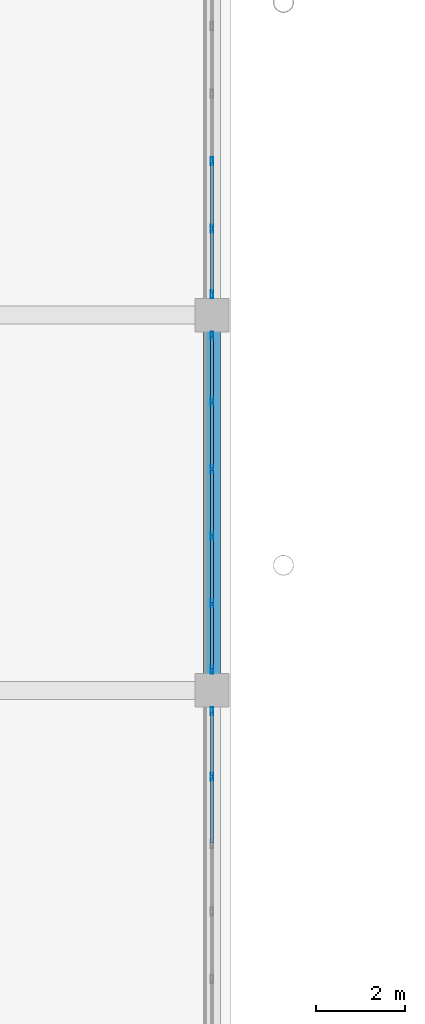
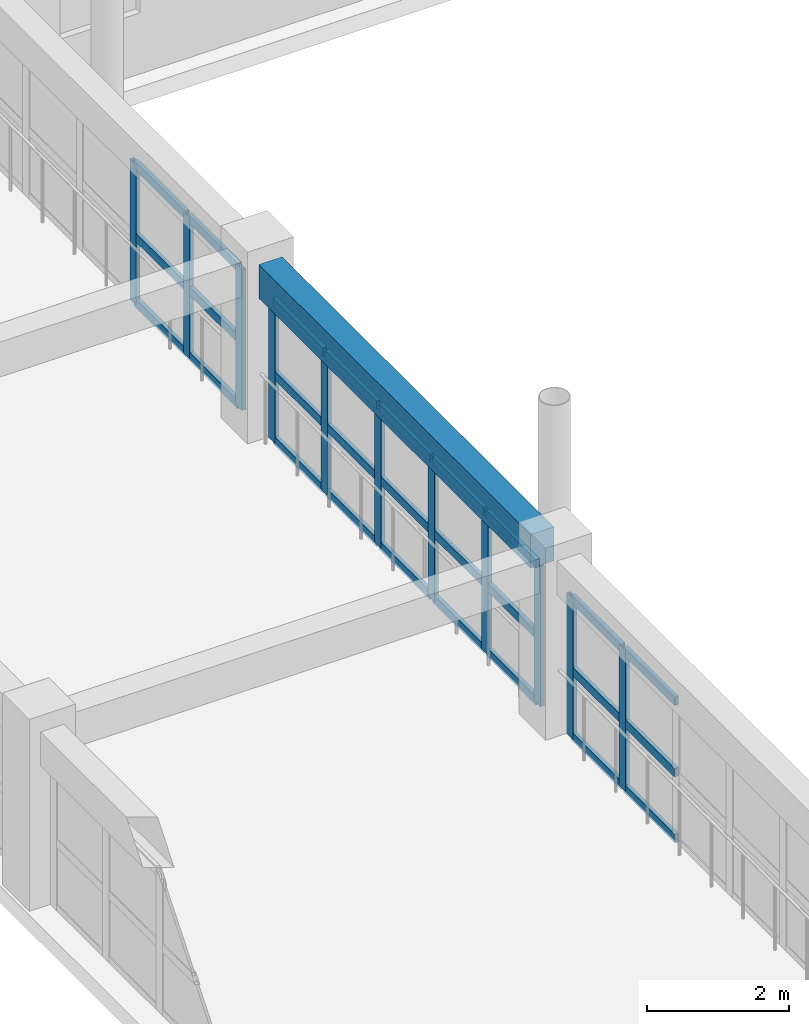
# One storey, part 135 of 200: 38 members, 1 beam, 3 elements without a shape of their own.
"""IFC4 building model written with IfcOpenShell, lengths in metres."""

from ifc_helpers import new_model, si_unit, direction, frame, origin, origin_2d, place, context, subcontext, project, spatial, rectangle, hollow_rectangle, extrude, material, layer, layer_set, material_profile, profile_set, type_object, element, aggregate, save


model = new_model("IFC4")

# Units and contexts
model_context = context("Model", 3, precision=1e-05, world=origin(), true_north=direction((0.0, 1.0)))
body_context = subcontext(model_context, "Body", "Model", "MODEL_VIEW")
ifc_project = project(units=[si_unit("LENGTHUNIT", "METRE"), si_unit("AREAUNIT", "SQUARE_METRE"), si_unit("VOLUMEUNIT", "CUBIC_METRE"), si_unit("PLANEANGLEUNIT", "RADIAN"), si_unit("MASSUNIT", "GRAM", prefix="KILO")], contexts=[model_context])

# Site, building, storey
site_placement = place(None, origin())
site = spatial("IfcSite", under=ifc_project, at=site_placement, CompositionType="ELEMENT")
building_placement = place(site_placement, origin())
building = spatial("IfcBuilding", under=site, at=building_placement, Name="Trelvath General Hospital", CompositionType="ELEMENT")
storey_placement = place(building_placement, frame((0.0, 0.0, 4.800048828125)))
storey = spatial("IfcBuildingStorey", under=building, at=storey_placement, Name="L01", CompositionType="ELEMENT", Elevation=4.800048828125)

# Beam
ifc_material_1 = material(Name="Concrete C35/45", Category="concrete")
ifc_material_profile_1 = material_profile(ifc_material_1, rectangle(XDim=0.3798828125, YDim=0.580078125, at=origin_2d()), Name="RCB380x580")
ifc_profile_set_1 = profile_set([ifc_material_profile_1], Name="Concrete C35/45")
beam_type = type_object("IfcBeamType", Name="Beam RC380x580", PredefinedType="BEAM", material=ifc_profile_set_1)
beam_placement = place(storey_placement, frame((142.800048828125, 50.77001953125, 2.72998046875), z_axis=(0.0, 1.0, 0.0), x_axis=(-1.0, 0.0, 0.0)))
element("IfcBeam", 1, at=beam_placement, inside=storey, type_object=beam_type, Name="Grid Beam BY-117G", PredefinedType="BEAM", context=body_context, shape_type="SweptSolid", body=[
    extrude(rectangle(XDim=0.3798828125, YDim=0.580078125, at=origin_2d()), origin(), (0.0, 0.0, 1.0), 7.659912109375),
])

# Curtain wall, members
ifc_material_2 = material(Name="Anodised aluminium and low-E glass", Category="aluminium")
ifc_layer = layer(ifc_material_2, 0.179931640625)
ifc_layer_set = layer_set([ifc_layer], Name="Anodised aluminium and low-E glass")
curtain_wall_type = type_object("IfcCurtainWallType", Name="CW Facade 754 242 18", PredefinedType="USERDEFINED", material=ifc_layer_set)
curtain_wall_1_placement = place(storey_placement, origin())
curtain_wall_1 = element("IfcCurtainWall", 2, at=curtain_wall_1_placement, inside=storey, type_object=curtain_wall_type, Name="Facade Curtain Wall CW-025", ObjectType="Unitised Glazed Curtain Wall", PredefinedType="USERDEFINED")
ifc_material_3 = material(Name="Anodised aluminium", Category="aluminium")
ifc_material_profile_2 = material_profile(ifc_material_3, hollow_rectangle(XDim=0.06494140625, YDim=0.179931640625, WallThickness=0.0048828125, at=origin_2d()), Name="RHS65x180x5")
ifc_profile_set_2 = profile_set([ifc_material_profile_2], Name="Anodised aluminium")
member_type_1 = type_object("IfcMemberType", Name="CurtainMullion 65x180", PredefinedType="MULLION", material=ifc_profile_set_2)
member_1_placement = place(storey_placement, frame((142.800048828125, 49.9375, 0.0), z_axis=(0.0, 0.0, 1.0), x_axis=(1.0, 0.0, 0.0)))
member_1 = element("IfcMember", 3, at=member_1_placement, type_object=member_type_1, Name="CW-025 mullion 1", PredefinedType="MULLION", context=body_context, shape_type="SweptSolid", body=[
    extrude(hollow_rectangle(XDim=0.06494140625, YDim=0.179931640625, WallThickness=0.0048828125, at=origin_2d()), origin(), (0.0, 0.0, 1.0), 2.419921875),
])
member_2_placement = place(storey_placement, frame((142.800048828125, 48.4619140625, 0.0), z_axis=(0.0, 0.0, 1.0), x_axis=(1.0, 0.0, 0.0)))
member_2 = element("IfcMember", 4, at=member_2_placement, type_object=member_type_1, Name="CW-025 mullion 2", PredefinedType="MULLION", context=body_context, shape_type="SweptSolid", body=[
    extrude(hollow_rectangle(XDim=0.06494140625, YDim=0.179931640625, WallThickness=0.0048828125, at=origin_2d()), origin(), (0.0, 0.0, 1.0), 2.419921875),
])

curtain_wall_2_placement = place(storey_placement, origin())
curtain_wall_2 = element("IfcCurtainWall", 5, at=curtain_wall_2_placement, inside=storey, type_object=curtain_wall_type, Name="Facade Curtain Wall CW-027", ObjectType="Unitised Glazed Curtain Wall", PredefinedType="USERDEFINED")
member_3_placement = place(storey_placement, frame((142.800048828125, 58.33740234375, 0.0), z_axis=(0.0, 0.0, 1.0), x_axis=(1.0, 0.0, 0.0)))
member_3 = element("IfcMember", 6, at=member_3_placement, type_object=member_type_1, Name="CW-027 mullion 1", PredefinedType="MULLION", context=body_context, shape_type="SweptSolid", body=[
    extrude(hollow_rectangle(XDim=0.06494140625, YDim=0.179931640625, WallThickness=0.0048828125, at=origin_2d()), origin(), (0.0, 0.0, 1.0), 2.419921875),
])
member_4_placement = place(storey_placement, frame((142.800048828125, 56.862060546875, 0.0), z_axis=(0.0, 0.0, 1.0), x_axis=(1.0, 0.0, 0.0)))
member_4 = element("IfcMember", 7, at=member_4_placement, type_object=member_type_1, Name="CW-027 mullion 2", PredefinedType="MULLION", context=body_context, shape_type="SweptSolid", body=[
    extrude(hollow_rectangle(XDim=0.06494140625, YDim=0.179931640625, WallThickness=0.0048828125, at=origin_2d()), origin(), (0.0, 0.0, 1.0), 2.419921875),
])
member_5_placement = place(storey_placement, frame((142.800048828125, 55.35400390625, 0.0), z_axis=(0.0, 0.0, 1.0), x_axis=(1.0, 0.0, 0.0)))
member_5 = element("IfcMember", 8, at=member_5_placement, type_object=member_type_1, Name="CW-027 mullion 3", PredefinedType="MULLION", context=body_context, shape_type="SweptSolid", body=[
    extrude(hollow_rectangle(XDim=0.06494140625, YDim=0.179931640625, WallThickness=0.0048828125, at=origin_2d()), origin(), (0.0, 0.0, 1.0), 2.419921875),
])
member_6_placement = place(storey_placement, frame((142.800048828125, 53.845947265625, 0.0), z_axis=(0.0, 0.0, 1.0), x_axis=(1.0, 0.0, 0.0)))
member_6 = element("IfcMember", 9, at=member_6_placement, type_object=member_type_1, Name="CW-027 mullion 4", PredefinedType="MULLION", context=body_context, shape_type="SweptSolid", body=[
    extrude(hollow_rectangle(XDim=0.06494140625, YDim=0.179931640625, WallThickness=0.0048828125, at=origin_2d()), origin(), (0.0, 0.0, 1.0), 2.419921875),
])
member_7_placement = place(storey_placement, frame((142.800048828125, 52.337890625, 0.0), z_axis=(0.0, 0.0, 1.0), x_axis=(1.0, 0.0, 0.0)))
member_7 = element("IfcMember", 10, at=member_7_placement, type_object=member_type_1, Name="CW-027 mullion 5", PredefinedType="MULLION", context=body_context, shape_type="SweptSolid", body=[
    extrude(hollow_rectangle(XDim=0.06494140625, YDim=0.179931640625, WallThickness=0.0048828125, at=origin_2d()), origin(), (0.0, 0.0, 1.0), 2.419921875),
])
member_8_placement = place(storey_placement, frame((142.800048828125, 50.862548828125, 0.0), z_axis=(0.0, 0.0, 1.0), x_axis=(1.0, 0.0, 0.0)))
member_8 = element("IfcMember", 11, at=member_8_placement, type_object=member_type_1, Name="CW-027 mullion 6", PredefinedType="MULLION", context=body_context, shape_type="SweptSolid", body=[
    extrude(hollow_rectangle(XDim=0.06494140625, YDim=0.179931640625, WallThickness=0.0048828125, at=origin_2d()), origin(), (0.0, 0.0, 1.0), 2.419921875),
])

curtain_wall_3_placement = place(storey_placement, origin())
curtain_wall_3 = element("IfcCurtainWall", 12, at=curtain_wall_3_placement, inside=storey, type_object=curtain_wall_type, Name="Facade Curtain Wall CW-029", ObjectType="Unitised Glazed Curtain Wall", PredefinedType="USERDEFINED")
member_9_placement = place(storey_placement, frame((142.800048828125, 62.24609375, 0.0), z_axis=(0.0, 0.0, 1.0), x_axis=(1.0, 0.0, 0.0)))
member_9 = element("IfcMember", 13, at=member_9_placement, type_object=member_type_1, Name="CW-029 mullion 4", PredefinedType="MULLION", context=body_context, shape_type="SweptSolid", body=[
    extrude(hollow_rectangle(XDim=0.06494140625, YDim=0.179931640625, WallThickness=0.0048828125, at=origin_2d()), origin(), (0.0, 0.0, 1.0), 2.419921875),
])
member_10_placement = place(storey_placement, frame((142.800048828125, 60.738037109375, 0.0), z_axis=(0.0, 0.0, 1.0), x_axis=(1.0, 0.0, 0.0)))
member_10 = element("IfcMember", 14, at=member_10_placement, type_object=member_type_1, Name="CW-029 mullion 5", PredefinedType="MULLION", context=body_context, shape_type="SweptSolid", body=[
    extrude(hollow_rectangle(XDim=0.06494140625, YDim=0.179931640625, WallThickness=0.0048828125, at=origin_2d()), origin(), (0.0, 0.0, 1.0), 2.419921875),
])
member_11_placement = place(storey_placement, frame((142.800048828125, 59.262451171875, 0.0), z_axis=(0.0, 0.0, 1.0), x_axis=(1.0, 0.0, 0.0)))
member_11 = element("IfcMember", 15, at=member_11_placement, type_object=member_type_1, Name="CW-029 mullion 6", PredefinedType="MULLION", context=body_context, shape_type="SweptSolid", body=[
    extrude(hollow_rectangle(XDim=0.06494140625, YDim=0.179931640625, WallThickness=0.0048828125, at=origin_2d()), origin(), (0.0, 0.0, 1.0), 2.419921875),
])

# Member
ifc_material_4 = material(Name="Anodised aluminium", Category="aluminium")
ifc_material_profile_3 = material_profile(ifc_material_4, hollow_rectangle(XDim=0.06494140625, YDim=0.14501953125, WallThickness=0.00390625, at=origin_2d()), Name="RHS65x145x4")
ifc_profile_set_3 = profile_set([ifc_material_profile_3], Name="Anodised aluminium")
member_type_2 = type_object("IfcMemberType", Name="CurtainTransom 65x145", PredefinedType="USERDEFINED", material=ifc_profile_set_3)
member_12_placement = place(storey_placement, frame((142.800048828125, 49.905029296875, 0.032470703125), z_axis=(0.0, -1.0, 0.0), x_axis=(1.0, 0.0, 0.0)))
member_12 = element("IfcMember", 16, at=member_12_placement, type_object=member_type_2, Name="CW-025 transom 1.1", ObjectType="TRANSOM", PredefinedType="USERDEFINED", context=body_context, shape_type="SweptSolid", body=[
    extrude(hollow_rectangle(XDim=0.06494140625, YDim=0.14501953125, WallThickness=0.00390625, at=origin_2d()), origin(), (0.0, 0.0, 1.0), 1.41064453125),
])

member_13_placement = place(storey_placement, frame((142.800048828125, 49.905029296875, 1.161865234375), z_axis=(0.0, -1.0, 0.0), x_axis=(1.0, 0.0, 0.0)))
member_13 = element("IfcMember", 17, at=member_13_placement, type_object=member_type_2, Name="CW-025 transom 1.2", ObjectType="TRANSOM", PredefinedType="USERDEFINED", context=body_context, shape_type="SweptSolid", body=[
    extrude(hollow_rectangle(XDim=0.06494140625, YDim=0.14501953125, WallThickness=0.00390625, at=origin_2d()), origin(), (0.0, 0.0, 1.0), 1.41064453125),
])

member_14_placement = place(storey_placement, frame((142.800048828125, 49.905029296875, 2.387451171875), z_axis=(0.0, -1.0, 0.0), x_axis=(1.0, 0.0, 0.0)))
member_14 = element("IfcMember", 18, at=member_14_placement, type_object=member_type_2, Name="CW-025 transom 1.3", ObjectType="TRANSOM", PredefinedType="USERDEFINED", context=body_context, shape_type="SweptSolid", body=[
    extrude(hollow_rectangle(XDim=0.06494140625, YDim=0.14501953125, WallThickness=0.00390625, at=origin_2d()), origin(), (0.0, 0.0, 1.0), 1.41064453125),
])

member_15_placement = place(storey_placement, frame((142.800048828125, 48.429443359375, 0.032470703125), z_axis=(0.0, -1.0, 0.0), x_axis=(1.0, 0.0, 0.0)))
member_15 = element("IfcMember", 19, at=member_15_placement, type_object=member_type_2, Name="CW-025 transom 2.1", ObjectType="TRANSOM", PredefinedType="USERDEFINED", context=body_context, shape_type="SweptSolid", body=[
    extrude(hollow_rectangle(XDim=0.06494140625, YDim=0.14501953125, WallThickness=0.00390625, at=origin_2d()), origin(), (0.0, 0.0, 1.0), 1.44287109375),
])

member_16_placement = place(storey_placement, frame((142.800048828125, 48.429443359375, 1.161865234375), z_axis=(0.0, -1.0, 0.0), x_axis=(1.0, 0.0, 0.0)))
member_16 = element("IfcMember", 20, at=member_16_placement, type_object=member_type_2, Name="CW-025 transom 2.2", ObjectType="TRANSOM", PredefinedType="USERDEFINED", context=body_context, shape_type="SweptSolid", body=[
    extrude(hollow_rectangle(XDim=0.06494140625, YDim=0.14501953125, WallThickness=0.00390625, at=origin_2d()), origin(), (0.0, 0.0, 1.0), 1.44287109375),
])

member_17_placement = place(storey_placement, frame((142.800048828125, 48.429443359375, 2.387451171875), z_axis=(0.0, -1.0, 0.0), x_axis=(1.0, 0.0, 0.0)))
member_17 = element("IfcMember", 21, at=member_17_placement, type_object=member_type_2, Name="CW-025 transom 2.3", ObjectType="TRANSOM", PredefinedType="USERDEFINED", context=body_context, shape_type="SweptSolid", body=[
    extrude(hollow_rectangle(XDim=0.06494140625, YDim=0.14501953125, WallThickness=0.00390625, at=origin_2d()), origin(), (0.0, 0.0, 1.0), 1.44287109375),
])

aggregate(curtain_wall_1, [member_1, member_2, member_12, member_13, member_14, member_15, member_16, member_17])

member_18_placement = place(storey_placement, frame((142.800048828125, 58.304931640625, 0.032470703125), z_axis=(0.0, -1.0, 0.0), x_axis=(1.0, 0.0, 0.0)))
member_18 = element("IfcMember", 22, at=member_18_placement, type_object=member_type_2, Name="CW-027 transom 1.1", ObjectType="TRANSOM", PredefinedType="USERDEFINED", context=body_context, shape_type="SweptSolid", body=[
    extrude(hollow_rectangle(XDim=0.06494140625, YDim=0.14501953125, WallThickness=0.00390625, at=origin_2d()), origin(), (0.0, 0.0, 1.0), 1.410400390625),
])

member_19_placement = place(storey_placement, frame((142.800048828125, 58.304931640625, 1.161865234375), z_axis=(0.0, -1.0, 0.0), x_axis=(1.0, 0.0, 0.0)))
member_19 = element("IfcMember", 23, at=member_19_placement, type_object=member_type_2, Name="CW-027 transom 1.2", ObjectType="TRANSOM", PredefinedType="USERDEFINED", context=body_context, shape_type="SweptSolid", body=[
    extrude(hollow_rectangle(XDim=0.06494140625, YDim=0.14501953125, WallThickness=0.00390625, at=origin_2d()), origin(), (0.0, 0.0, 1.0), 1.410400390625),
])

member_20_placement = place(storey_placement, frame((142.800048828125, 58.304931640625, 2.387451171875), z_axis=(0.0, -1.0, 0.0), x_axis=(1.0, 0.0, 0.0)))
member_20 = element("IfcMember", 24, at=member_20_placement, type_object=member_type_2, Name="CW-027 transom 1.3", ObjectType="TRANSOM", PredefinedType="USERDEFINED", context=body_context, shape_type="SweptSolid", body=[
    extrude(hollow_rectangle(XDim=0.06494140625, YDim=0.14501953125, WallThickness=0.00390625, at=origin_2d()), origin(), (0.0, 0.0, 1.0), 1.410400390625),
])

member_21_placement = place(storey_placement, frame((142.800048828125, 56.82958984375, 0.032470703125), z_axis=(0.0, -1.0, 0.0), x_axis=(1.0, 0.0, 0.0)))
member_21 = element("IfcMember", 25, at=member_21_placement, type_object=member_type_2, Name="CW-027 transom 2.1", ObjectType="TRANSOM", PredefinedType="USERDEFINED", context=body_context, shape_type="SweptSolid", body=[
    extrude(hollow_rectangle(XDim=0.06494140625, YDim=0.14501953125, WallThickness=0.00390625, at=origin_2d()), origin(), (0.0, 0.0, 1.0), 1.443115234375),
])

member_22_placement = place(storey_placement, frame((142.800048828125, 56.82958984375, 1.161865234375), z_axis=(0.0, -1.0, 0.0), x_axis=(1.0, 0.0, 0.0)))
member_22 = element("IfcMember", 26, at=member_22_placement, type_object=member_type_2, Name="CW-027 transom 2.2", ObjectType="TRANSOM", PredefinedType="USERDEFINED", context=body_context, shape_type="SweptSolid", body=[
    extrude(hollow_rectangle(XDim=0.06494140625, YDim=0.14501953125, WallThickness=0.00390625, at=origin_2d()), origin(), (0.0, 0.0, 1.0), 1.443115234375),
])

member_23_placement = place(storey_placement, frame((142.800048828125, 56.82958984375, 2.387451171875), z_axis=(0.0, -1.0, 0.0), x_axis=(1.0, 0.0, 0.0)))
member_23 = element("IfcMember", 27, at=member_23_placement, type_object=member_type_2, Name="CW-027 transom 2.3", ObjectType="TRANSOM", PredefinedType="USERDEFINED", context=body_context, shape_type="SweptSolid", body=[
    extrude(hollow_rectangle(XDim=0.06494140625, YDim=0.14501953125, WallThickness=0.00390625, at=origin_2d()), origin(), (0.0, 0.0, 1.0), 1.443115234375),
])

member_24_placement = place(storey_placement, frame((142.800048828125, 55.321533203125, 0.032470703125), z_axis=(0.0, -1.0, 0.0), x_axis=(1.0, 0.0, 0.0)))
member_24 = element("IfcMember", 28, at=member_24_placement, type_object=member_type_2, Name="CW-027 transom 3.1", ObjectType="TRANSOM", PredefinedType="USERDEFINED", context=body_context, shape_type="SweptSolid", body=[
    extrude(hollow_rectangle(XDim=0.06494140625, YDim=0.14501953125, WallThickness=0.00390625, at=origin_2d()), origin(), (0.0, 0.0, 1.0), 1.443115234375),
])

member_25_placement = place(storey_placement, frame((142.800048828125, 55.321533203125, 1.161865234375), z_axis=(0.0, -1.0, 0.0), x_axis=(1.0, 0.0, 0.0)))
member_25 = element("IfcMember", 29, at=member_25_placement, type_object=member_type_2, Name="CW-027 transom 3.2", ObjectType="TRANSOM", PredefinedType="USERDEFINED", context=body_context, shape_type="SweptSolid", body=[
    extrude(hollow_rectangle(XDim=0.06494140625, YDim=0.14501953125, WallThickness=0.00390625, at=origin_2d()), origin(), (0.0, 0.0, 1.0), 1.443115234375),
])

member_26_placement = place(storey_placement, frame((142.800048828125, 55.321533203125, 2.387451171875), z_axis=(0.0, -1.0, 0.0), x_axis=(1.0, 0.0, 0.0)))
member_26 = element("IfcMember", 30, at=member_26_placement, type_object=member_type_2, Name="CW-027 transom 3.3", ObjectType="TRANSOM", PredefinedType="USERDEFINED", context=body_context, shape_type="SweptSolid", body=[
    extrude(hollow_rectangle(XDim=0.06494140625, YDim=0.14501953125, WallThickness=0.00390625, at=origin_2d()), origin(), (0.0, 0.0, 1.0), 1.443115234375),
])

member_27_placement = place(storey_placement, frame((142.800048828125, 53.8134765625, 0.032470703125), z_axis=(0.0, -1.0, 0.0), x_axis=(1.0, 0.0, 0.0)))
member_27 = element("IfcMember", 31, at=member_27_placement, type_object=member_type_2, Name="CW-027 transom 4.1", ObjectType="TRANSOM", PredefinedType="USERDEFINED", context=body_context, shape_type="SweptSolid", body=[
    extrude(hollow_rectangle(XDim=0.06494140625, YDim=0.14501953125, WallThickness=0.00390625, at=origin_2d()), origin(), (0.0, 0.0, 1.0), 1.44287109375),
])

member_28_placement = place(storey_placement, frame((142.800048828125, 53.8134765625, 1.161865234375), z_axis=(0.0, -1.0, 0.0), x_axis=(1.0, 0.0, 0.0)))
member_28 = element("IfcMember", 32, at=member_28_placement, type_object=member_type_2, Name="CW-027 transom 4.2", ObjectType="TRANSOM", PredefinedType="USERDEFINED", context=body_context, shape_type="SweptSolid", body=[
    extrude(hollow_rectangle(XDim=0.06494140625, YDim=0.14501953125, WallThickness=0.00390625, at=origin_2d()), origin(), (0.0, 0.0, 1.0), 1.44287109375),
])

member_29_placement = place(storey_placement, frame((142.800048828125, 53.8134765625, 2.387451171875), z_axis=(0.0, -1.0, 0.0), x_axis=(1.0, 0.0, 0.0)))
member_29 = element("IfcMember", 33, at=member_29_placement, type_object=member_type_2, Name="CW-027 transom 4.3", ObjectType="TRANSOM", PredefinedType="USERDEFINED", context=body_context, shape_type="SweptSolid", body=[
    extrude(hollow_rectangle(XDim=0.06494140625, YDim=0.14501953125, WallThickness=0.00390625, at=origin_2d()), origin(), (0.0, 0.0, 1.0), 1.44287109375),
])

member_30_placement = place(storey_placement, frame((142.800048828125, 52.305419921875, 0.032470703125), z_axis=(0.0, -1.0, 0.0), x_axis=(1.0, 0.0, 0.0)))
member_30 = element("IfcMember", 34, at=member_30_placement, type_object=member_type_2, Name="CW-027 transom 5.1", ObjectType="TRANSOM", PredefinedType="USERDEFINED", context=body_context, shape_type="SweptSolid", body=[
    extrude(hollow_rectangle(XDim=0.06494140625, YDim=0.14501953125, WallThickness=0.00390625, at=origin_2d()), origin(), (0.0, 0.0, 1.0), 1.410400390625),
])

member_31_placement = place(storey_placement, frame((142.800048828125, 52.305419921875, 1.161865234375), z_axis=(0.0, -1.0, 0.0), x_axis=(1.0, 0.0, 0.0)))
member_31 = element("IfcMember", 35, at=member_31_placement, type_object=member_type_2, Name="CW-027 transom 5.2", ObjectType="TRANSOM", PredefinedType="USERDEFINED", context=body_context, shape_type="SweptSolid", body=[
    extrude(hollow_rectangle(XDim=0.06494140625, YDim=0.14501953125, WallThickness=0.00390625, at=origin_2d()), origin(), (0.0, 0.0, 1.0), 1.410400390625),
])

member_32_placement = place(storey_placement, frame((142.800048828125, 52.305419921875, 2.387451171875), z_axis=(0.0, -1.0, 0.0), x_axis=(1.0, 0.0, 0.0)))
member_32 = element("IfcMember", 36, at=member_32_placement, type_object=member_type_2, Name="CW-027 transom 5.3", ObjectType="TRANSOM", PredefinedType="USERDEFINED", context=body_context, shape_type="SweptSolid", body=[
    extrude(hollow_rectangle(XDim=0.06494140625, YDim=0.14501953125, WallThickness=0.00390625, at=origin_2d()), origin(), (0.0, 0.0, 1.0), 1.410400390625),
])

aggregate(curtain_wall_2, [member_3, member_4, member_5, member_6, member_7, member_8, member_18, member_19, member_20, member_21, member_22, member_23, member_24, member_25, member_26, member_27, member_28, member_29, member_30, member_31, member_32])

member_33_placement = place(storey_placement, frame((142.800048828125, 62.21337890625, 0.032470703125), z_axis=(0.0, -1.0, 0.0), x_axis=(1.0, 0.0, 0.0)))
member_33 = element("IfcMember", 37, at=member_33_placement, type_object=member_type_2, Name="CW-029 transom 4.1", ObjectType="TRANSOM", PredefinedType="USERDEFINED", context=body_context, shape_type="SweptSolid", body=[
    extrude(hollow_rectangle(XDim=0.06494140625, YDim=0.14501953125, WallThickness=0.00390625, at=origin_2d()), origin(), (0.0, 0.0, 1.0), 1.44287109375),
])

member_34_placement = place(storey_placement, frame((142.800048828125, 62.21337890625, 1.161865234375), z_axis=(0.0, -1.0, 0.0), x_axis=(1.0, 0.0, 0.0)))
member_34 = element("IfcMember", 38, at=member_34_placement, type_object=member_type_2, Name="CW-029 transom 4.2", ObjectType="TRANSOM", PredefinedType="USERDEFINED", context=body_context, shape_type="SweptSolid", body=[
    extrude(hollow_rectangle(XDim=0.06494140625, YDim=0.14501953125, WallThickness=0.00390625, at=origin_2d()), origin(), (0.0, 0.0, 1.0), 1.44287109375),
])

member_35_placement = place(storey_placement, frame((142.800048828125, 62.21337890625, 2.387451171875), z_axis=(0.0, -1.0, 0.0), x_axis=(1.0, 0.0, 0.0)))
member_35 = element("IfcMember", 39, at=member_35_placement, type_object=member_type_2, Name="CW-029 transom 4.3", ObjectType="TRANSOM", PredefinedType="USERDEFINED", context=body_context, shape_type="SweptSolid", body=[
    extrude(hollow_rectangle(XDim=0.06494140625, YDim=0.14501953125, WallThickness=0.00390625, at=origin_2d()), origin(), (0.0, 0.0, 1.0), 1.44287109375),
])

member_36_placement = place(storey_placement, frame((142.800048828125, 60.70556640625, 0.032470703125), z_axis=(0.0, -1.0, 0.0), x_axis=(1.0, 0.0, 0.0)))
member_36 = element("IfcMember", 40, at=member_36_placement, type_object=member_type_2, Name="CW-029 transom 5.1", ObjectType="TRANSOM", PredefinedType="USERDEFINED", context=body_context, shape_type="SweptSolid", body=[
    extrude(hollow_rectangle(XDim=0.06494140625, YDim=0.14501953125, WallThickness=0.00390625, at=origin_2d()), origin(), (0.0, 0.0, 1.0), 1.41064453125),
])

member_37_placement = place(storey_placement, frame((142.800048828125, 60.70556640625, 1.161865234375), z_axis=(0.0, -1.0, 0.0), x_axis=(1.0, 0.0, 0.0)))
member_37 = element("IfcMember", 41, at=member_37_placement, type_object=member_type_2, Name="CW-029 transom 5.2", ObjectType="TRANSOM", PredefinedType="USERDEFINED", context=body_context, shape_type="SweptSolid", body=[
    extrude(hollow_rectangle(XDim=0.06494140625, YDim=0.14501953125, WallThickness=0.00390625, at=origin_2d()), origin(), (0.0, 0.0, 1.0), 1.41064453125),
])

member_38_placement = place(storey_placement, frame((142.800048828125, 60.70556640625, 2.387451171875), z_axis=(0.0, -1.0, 0.0), x_axis=(1.0, 0.0, 0.0)))
member_38 = element("IfcMember", 42, at=member_38_placement, type_object=member_type_2, Name="CW-029 transom 5.3", ObjectType="TRANSOM", PredefinedType="USERDEFINED", context=body_context, shape_type="SweptSolid", body=[
    extrude(hollow_rectangle(XDim=0.06494140625, YDim=0.14501953125, WallThickness=0.00390625, at=origin_2d()), origin(), (0.0, 0.0, 1.0), 1.41064453125),
])

aggregate(curtain_wall_3, [member_9, member_10, member_11, member_33, member_34, member_35, member_36, member_37, member_38])

save(model, "model.ifc")
